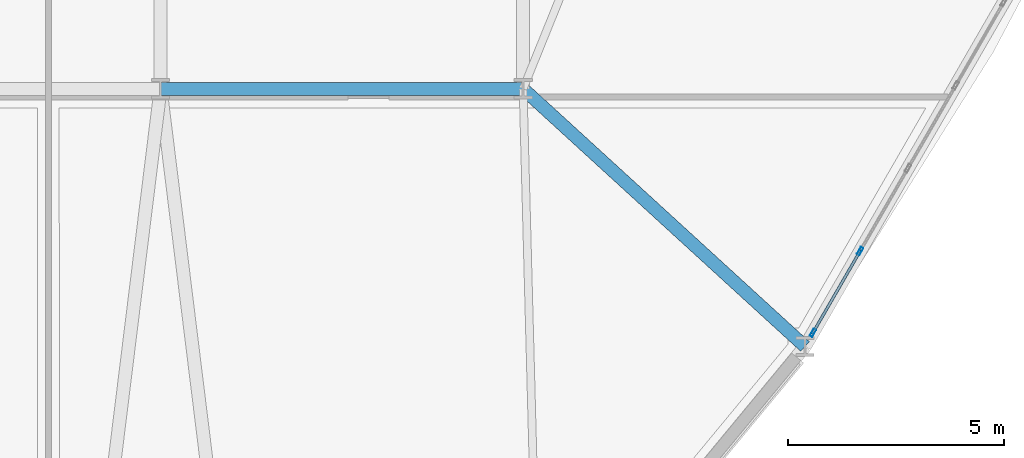
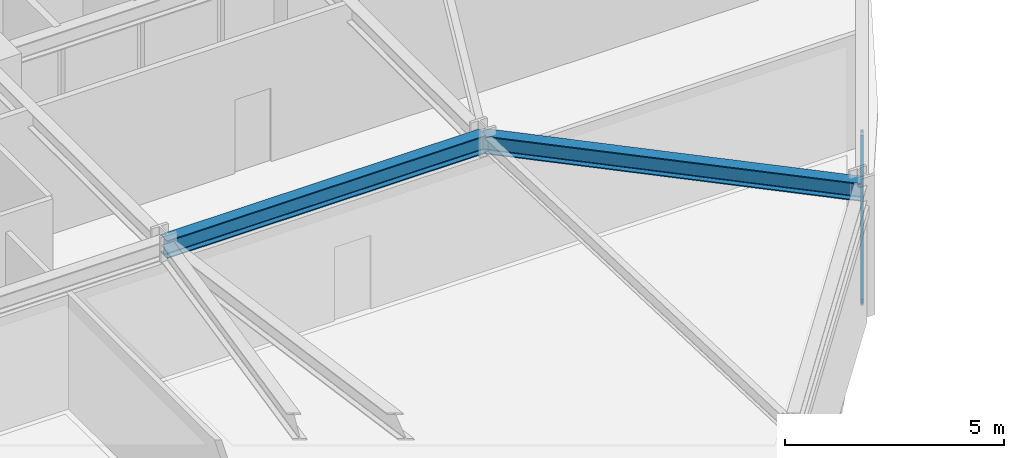
# One storey, part 6 of 23: 5 members, 2 beams, 1 element without a shape of its own.
"""IFC4 building model written with IfcOpenShell, lengths in metres."""

from ifc_helpers import new_model, si_unit, derived_unit, direction, frame, origin, origin_2d, place, context, subcontext, project, spatial, hollow_rectangle, i_section, extrude, source, transform, mapped, material, layer, layer_set, material_profile, profile_set, type_object, element, aggregate, save


model = new_model("IFC4")

# Units and contexts
model_context = context("Model", 3, precision=1e-05, world=origin(), true_north=direction((0.0, 1.0)))
body_context = subcontext(model_context, "Body", "Model", "MODEL_VIEW")
ifc_project = project(units=[si_unit("LENGTHUNIT", "METRE"), si_unit("AREAUNIT", "SQUARE_METRE"), si_unit("VOLUMEUNIT", "CUBIC_METRE"), si_unit("PLANEANGLEUNIT", "RADIAN"), si_unit("MASSUNIT", "GRAM", prefix="KILO"), derived_unit("THERMALTRANSMITTANCEUNIT", [(si_unit("POWERUNIT", "WATT"), 1), (si_unit("LENGTHUNIT", "METRE"), -2), (si_unit("THERMODYNAMICTEMPERATUREUNIT", "KELVIN"), -1)])], contexts=[model_context])

# Site, building, storey
site_placement = place(None, origin())
site = spatial("IfcSite", under=ifc_project, at=site_placement, CompositionType="ELEMENT")
building_placement = place(site_placement, origin())
building = spatial("IfcBuilding", under=site, at=building_placement, Name="Korsvarv Bourse and Concert Hall", CompositionType="ELEMENT")
storey_placement = place(building_placement, frame((0.0, 0.0, 24.0)))
storey = spatial("IfcBuildingStorey", under=building, at=storey_placement, Name="L05", CompositionType="ELEMENT", Elevation=24.0)

# Beams
ifc_material_1 = material(Name="Steel S355", Category="steel")
ifc_material_profile_1 = material_profile(ifc_material_1, i_section(OverallWidth=0.300048828125, OverallDepth=0.5, WebThickness=0.014404296875, FlangeThickness=0.028076171875, FilletRadius=0.02392578125, at=origin_2d()), Name="HEB 500")
ifc_profile_set_1 = profile_set([ifc_material_profile_1], Name="Steel S355")
beam_type = type_object("IfcBeamType", Name="BM-HEB500", PredefinedType="BEAM", material=ifc_profile_set_1)
shared_shape_1 = source(origin(), body_context, "Body", "SweptSolid", [
    extrude(i_section(OverallWidth=0.300048828125, OverallDepth=0.5, WebThickness=0.014404296875, FlangeThickness=0.028076171875, FilletRadius=0.02392578125, at=origin_2d()), origin(), (0.0, 0.0, 1.0), 8.39990234375),
])
beam_1_placement = place(storey_placement, frame((36.0, 24.0, 3.429931640625), z_axis=(1.0, 0.0, 0.0), x_axis=(0.0, 1.0, 0.0)))
element("IfcBeam", 1, at=beam_1_placement, inside=storey, type_object=beam_type, Name="L05 beam B-07", PredefinedType="BEAM", context=body_context, shape_type="MappedRepresentation", body=[
    mapped(shared_shape_1, transform((0.0, 0.0, 0.0), scale=1.0)),
])
shared_shape_2 = source(origin(), body_context, "Body", "SweptSolid", [
    extrude(i_section(OverallWidth=0.300048828125, OverallDepth=0.5, WebThickness=0.014404296875, FlangeThickness=0.028076171875, FilletRadius=0.02392578125, at=origin_2d()), origin(), (0.0, 0.0, 1.0), 8.85009765625),
])
beam_2_placement = place(storey_placement, frame((50.93212890625, 18.02880859375, 3.429931640625), z_axis=(-0.738092395249, 0.674699648789, 0.0), x_axis=(-0.674699648789, -0.738092395249, 0.0)))
element("IfcBeam", 2, at=beam_2_placement, inside=storey, type_object=beam_type, Name="L05 beam B-07", PredefinedType="BEAM", context=body_context, shape_type="MappedRepresentation", body=[
    mapped(shared_shape_2, transform((0.0, 0.0, 0.0), scale=1.0)),
])

# Curtain wall, members
ifc_material_2 = material(Name="Anodised aluminium and triple low-E glazing", Category="glass")
ifc_layer = layer(ifc_material_2, 0.219970703125)
ifc_layer_set = layer_set([ifc_layer], Name="Anodised aluminium and triple low-E glazing")
curtain_wall_type = type_object("IfcCurtainWallType", Name="CW-SYS-1", PredefinedType="NOTDEFINED", material=ifc_layer_set)
curtain_wall_placement = place(storey_placement, origin())
curtain_wall = element("IfcCurtainWall", 3, at=curtain_wall_placement, inside=storey, type_object=curtain_wall_type, Name="L05 CW1 curtain wall CW-L05-F11", PredefinedType="NOTDEFINED")
ifc_material_3 = material(Name="Extruded aluminium EN AW-6063 T66", Category="aluminium")
ifc_material_profile_2 = material_profile(ifc_material_3, hollow_rectangle(XDim=0.070068359375, YDim=0.18994140625, WallThickness=0.0048828125, at=origin_2d()), Name="ALU-M 70x190")
ifc_profile_set_2 = profile_set([ifc_material_profile_2], Name="Extruded aluminium EN AW-6063 T66")
member_type_1 = type_object("IfcMemberType", Name="CWM-190", PredefinedType="MULLION", material=ifc_profile_set_2)
shared_shape_3 = source(origin(), body_context, "Body", "SweptSolid", [
    extrude(hollow_rectangle(XDim=0.070068359375, YDim=0.18994140625, WallThickness=0.0048828125, at=origin_2d()), origin(), (0.0, 0.0, 1.0), 3.22998046875),
])
member_1_placement = place(storey_placement, frame((51.115234375, 18.34619140625, 0.0), z_axis=(0.0, 0.0, 1.0), x_axis=(-0.866028517121, 0.499994607504, 0.0)))
member_1 = element("IfcMember", 4, at=member_1_placement, type_object=member_type_1, Name="CW1 mullion 1", PredefinedType="MULLION", context=body_context, shape_type="MappedRepresentation", body=[
    mapped(shared_shape_3, transform((0.0, 0.0, 0.0), scale=1.0)),
])
member_2_placement = place(storey_placement, frame((52.207275390625, 20.2373046875, 0.0), z_axis=(0.0, 0.0, 1.0), x_axis=(-0.866028517121, 0.499994607504, 0.0)))
member_2 = element("IfcMember", 5, at=member_2_placement, type_object=member_type_1, Name="CW1 mullion 2", PredefinedType="MULLION", context=body_context, shape_type="MappedRepresentation", body=[
    mapped(shared_shape_3, transform((0.0, 0.0, 0.0), scale=1.0)),
])
ifc_material_profile_3 = material_profile(ifc_material_3, hollow_rectangle(XDim=0.06494140625, YDim=0.1650390625, WallThickness=0.0048828125, at=origin_2d()), Name="ALU-M 65x165")
ifc_profile_set_3 = profile_set([ifc_material_profile_3], Name="Extruded aluminium EN AW-6063 T66")
member_type_2 = type_object("IfcMemberType", Name="CWM-165", PredefinedType="MULLION", material=ifc_profile_set_3)
shared_shape_4 = source(origin(), body_context, "Body", "SweptSolid", [
    extrude(hollow_rectangle(XDim=0.06494140625, YDim=0.1650390625, WallThickness=0.0048828125, at=origin_2d()), origin(), (0.0, 0.0, 1.0), 3.752197265625),
])
member_3_placement = place(storey_placement, frame((51.1328125, 18.37646484375, 0.06494140625), z_axis=(0.281674898004, 0.487872114862, 0.826220340693), x_axis=(-0.866024019333, 0.500002397932, 0.0)))
member_3 = element("IfcMember", 6, at=member_3_placement, type_object=member_type_2, Name="CW1 diagonal mullion 1", PredefinedType="MULLION", context=body_context, shape_type="MappedRepresentation", body=[
    mapped(shared_shape_4, transform((0.0, 0.0, 0.0), scale=1.0)),
])
ifc_material_profile_4 = material_profile(ifc_material_3, hollow_rectangle(XDim=0.06494140625, YDim=0.139892578125, WallThickness=0.00390625, at=origin_2d()), Name="ALU-T 65x140")
ifc_profile_set_4 = profile_set([ifc_material_profile_4], Name="Extruded aluminium EN AW-6063 T66")
member_type_3 = type_object("IfcMemberType", Name="CWT-140", PredefinedType="USERDEFINED", material=ifc_profile_set_4)
shared_shape_5 = source(origin(), body_context, "Body", "SweptSolid", [
    extrude(hollow_rectangle(XDim=0.06494140625, YDim=0.139892578125, WallThickness=0.00390625, at=origin_2d()), origin(), (0.0, 0.0, 1.0), 2.11376953125),
])
member_4_placement = place(storey_placement, frame((51.1328125, 18.37646484375, 0.032470703125), z_axis=(0.500002397932, 0.866024019333, 0.0), x_axis=(-0.866024019333, 0.500002397932, 0.0)))
member_4 = element("IfcMember", 7, at=member_4_placement, type_object=member_type_3, Name="CW1 transom 1.1", ObjectType="TRANSOM", PredefinedType="USERDEFINED", context=body_context, shape_type="MappedRepresentation", body=[
    mapped(shared_shape_5, transform((0.0, 0.0, 0.0), scale=1.0)),
])
member_5_placement = place(storey_placement, frame((51.1328125, 18.37646484375, 3.197509765625), z_axis=(0.500002397932, 0.866024019333, 0.0), x_axis=(-0.866024019333, 0.500002397932, 0.0)))
member_5 = element("IfcMember", 8, at=member_5_placement, type_object=member_type_3, Name="CW1 transom 1.2", ObjectType="TRANSOM", PredefinedType="USERDEFINED", context=body_context, shape_type="MappedRepresentation", body=[
    mapped(shared_shape_5, transform((0.0, 0.0, 0.0), scale=1.0)),
])
aggregate(curtain_wall, [member_1, member_2, member_4, member_5, member_3])

save(model, "model.ifc")
